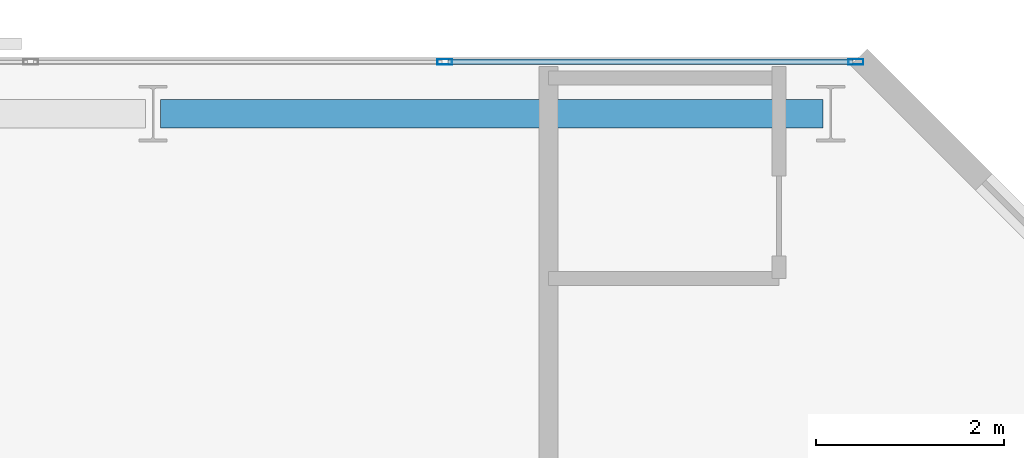
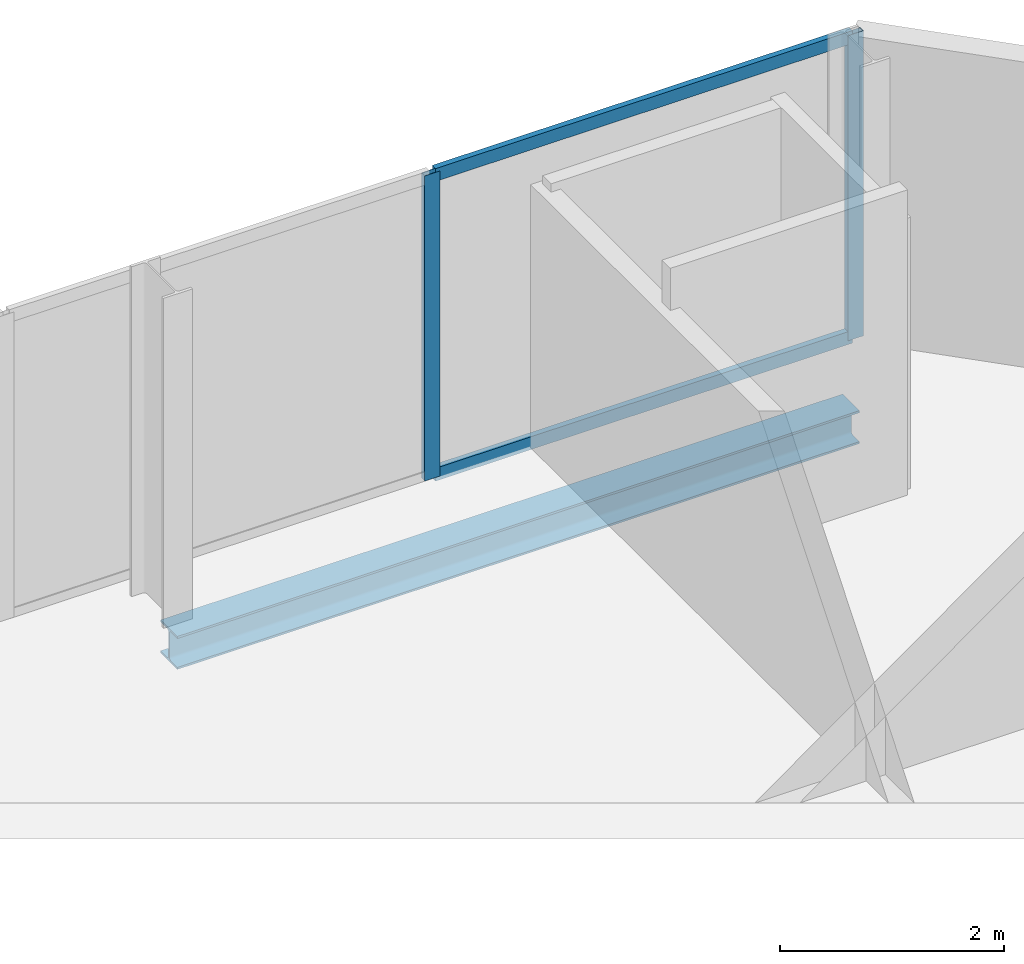
# One storey, part 25 of 32: 4 members, 1 beam, 1 element without a shape of its own.
"""IFC4 building model written with IfcOpenShell, lengths in metres."""

import ifcopenshell
import ifcopenshell.guid

model = None  # the IFC model being written
_history = None  # IfcOwnerHistory: only IFC2X3 demands one
_inside = {}  # id of a spatial element -> (the spatial element, [elements in it])
_under = {}  # id of a project, library or spatial element -> (it, [spatial elements below it])
_declared = {}  # id of a project -> (the project, [libraries it declares])
_typed = {}  # id of a type object -> (the type object, [elements of that type])
_made_of = {}  # id of a material, layer set ... -> (it, [elements and type objects made of it])


def new_model(schema):
    """Start an empty IFC model of exactly this schema.

    Asked for "IFC4X3", IfcOpenShell would pick the latest addendum, in which some entities
    have other attributes; the version numbers below select the first issue.
    IFC2X3 requires an IfcOwnerHistory on every rooted entity: one is made here for all.
    """
    global model, _history
    if schema == "IFC4X3":
        model = ifcopenshell.file(schema_version=(4, 3, 0, 0))
    else:
        model = ifcopenshell.file(schema=schema)
    _inside.clear()
    _under.clear()
    _declared.clear()
    _typed.clear()
    _made_of.clear()
    _history = None
    if model.schema == "IFC2X3":
        org = make("IfcOrganization", Name="unknown")
        user = make(
            "IfcPersonAndOrganization",
            ThePerson=make("IfcPerson", FamilyName="unknown"),
            TheOrganization=org,
        )
        app = make(
            "IfcApplication",
            ApplicationDeveloper=org,
            Version="unknown",
            ApplicationFullName="unknown",
            ApplicationIdentifier="unknown",
        )
        _history = make(
            "IfcOwnerHistory",
            OwningUser=user,
            OwningApplication=app,
            ChangeAction="ADDED",
            CreationDate=0,
        )
    return model


def make(cls, **values):
    """One entity of the class cls with the attributes given. An attribute that is None is left unset."""
    return model.create_entity(
        cls, **{name: value for name, value in values.items() if value is not None}
    )


def rooted(cls, **values):
    """An entity with a GlobalId (a new one), such as an element, a storey or a relation."""
    return make(cls, GlobalId=ifcopenshell.guid.new(), OwnerHistory=_history, **values)


def si_unit(unit_type, name, prefix=None):
    """IfcSIUnit, for example si_unit("LENGTHUNIT", "METRE", prefix="MILLI")."""
    return make("IfcSIUnit", UnitType=unit_type, Prefix=prefix, Name=name)


def assignment(units):
    """IfcUnitAssignment: the units of a project."""
    return None if units is None else make("IfcUnitAssignment", Units=units)


def point(xyz):
    """IfcCartesianPoint."""
    return None if xyz is None else make("IfcCartesianPoint", Coordinates=xyz)


def direction(xyz):
    """IfcDirection."""
    return None if xyz is None else make("IfcDirection", DirectionRatios=xyz)


def frame(location, z_axis=None, x_axis=None):
    """IfcAxis2Placement3D, a coordinate frame: its origin and axes. An axis left out is left unset."""
    return make(
        "IfcAxis2Placement3D",
        Location=point(location),
        Axis=direction(z_axis),
        RefDirection=direction(x_axis),
    )


def frame_2d(location, x_axis=None):
    """IfcAxis2Placement2D, a coordinate frame in the plane: its origin and x axis."""
    return make(
        "IfcAxis2Placement2D", Location=point(location), RefDirection=direction(x_axis)
    )


def origin():
    """The frame at (0, 0, 0) with its axes left unset."""
    return frame((0.0, 0.0, 0.0))


def origin_2d():
    """The frame at (0, 0) in the plane with its x axis left unset."""
    return frame_2d((0.0, 0.0))


def place(relative_to, where):
    """IfcLocalPlacement: puts the frame where relative to a parent placement (None: the world)."""
    return make(
        "IfcLocalPlacement", PlacementRelTo=relative_to, RelativePlacement=where
    )


def context(
    kind, dimensions, precision=None, world=None, true_north=None, identifier=None
):
    """IfcGeometricRepresentationContext, for example the 3D "Model" context."""
    return make(
        "IfcGeometricRepresentationContext",
        ContextIdentifier=identifier,
        ContextType=kind,
        CoordinateSpaceDimension=dimensions,
        Precision=precision,
        WorldCoordinateSystem=world,
        TrueNorth=true_north,
    )


def subcontext(parent, identifier, kind, view, scale=None):
    """IfcGeometricRepresentationSubContext, for example "Body" below "Model"."""
    return make(
        "IfcGeometricRepresentationSubContext",
        ContextIdentifier=identifier,
        ContextType=kind,
        ParentContext=parent,
        TargetScale=scale,
        TargetView=view,
    )


def project(units=None, contexts=None):
    """IfcProject with its units and contexts."""
    return rooted(
        "IfcProject",
        Name="project",
        RepresentationContexts=contexts,
        UnitsInContext=assignment(units),
    )


def spatial(cls, under=None, at=None, **own):
    """A site, building, storey or space (cls), placed at a placement, below another one or the project."""
    s = rooted(cls, ObjectPlacement=at, **own)
    if under is not None:
        _under.setdefault(under.id(), (under, []))[1].append(s)
    return s


def profile(cls, at=None, kind="AREA", **sizes):
    """A parametric profile (cls). Its sizes go by their IFC names, for example OverallWidth=200.0."""
    return make(cls, ProfileType=kind, Position=at, **sizes)


def hollow_rectangle(**sizes):
    """IfcRectangleHollowProfileDef."""
    return profile("IfcRectangleHollowProfileDef", **sizes)


def i_section(**sizes):
    """IfcIShapeProfileDef."""
    return profile("IfcIShapeProfileDef", **sizes)


def extrude(swept, where, along, depth):
    """IfcExtrudedAreaSolid: the profile swept, set in the frame where, extruded along a direction by depth."""
    return make(
        "IfcExtrudedAreaSolid",
        SweptArea=swept,
        Position=where,
        ExtrudedDirection=direction(along),
        Depth=depth,
    )


def shape(context_of_items, identifier, shape_type, items):
    """IfcShapeRepresentation: the items that make up one representation, for example the "Body"."""
    return make(
        "IfcShapeRepresentation",
        ContextOfItems=context_of_items,
        RepresentationIdentifier=identifier,
        RepresentationType=shape_type,
        Items=items,
    )


def material(Name=None, Category=None):
    """IfcMaterial."""
    return make("IfcMaterial", Name=Name, Category=Category)


def layer(
    of_material, thickness, ventilated=None, Name=None, Category=None, Priority=None
):
    """IfcMaterialLayer: one layer of a wall or slab, of a material (None: an air gap)."""
    return make(
        "IfcMaterialLayer",
        Material=of_material,
        LayerThickness=thickness,
        IsVentilated=ventilated,
        Name=Name,
        Category=Category,
        Priority=Priority,
    )


def layer_set(layers, Name=None):
    """IfcMaterialLayerSet."""
    return make("IfcMaterialLayerSet", MaterialLayers=layers, LayerSetName=Name)


def material_profile(
    of_material, cross_section, Name=None, Category=None, Priority=None
):
    """IfcMaterialProfile: a cross section and its material."""
    return make(
        "IfcMaterialProfile",
        Name=Name,
        Material=of_material,
        Profile=cross_section,
        Priority=Priority,
        Category=Category,
    )


def profile_set(profiles, Name=None, composite=None):
    """IfcMaterialProfileSet."""
    return make(
        "IfcMaterialProfileSet",
        Name=Name,
        MaterialProfiles=profiles,
        CompositeProfile=composite,
    )


def made_of(thing, what):
    """Note that an element or type object is made of a material, layer set ...; save() writes the relation."""
    if what is not None:
        _made_of.setdefault(what.id(), (what, []))[1].append(thing)
    return thing


def type_object(cls, material=None, **own):
    """A type object (cls), such as IfcWallType, which elements share."""
    return made_of(rooted(cls, **own), material)


def element(
    cls,
    number,
    at=None,
    inside=None,
    cuts=None,
    type_object=None,
    material=None,
    context=None,
    identifier="Body",
    shape_type=None,
    held_by="IfcProductDefinitionShape",
    body=None,
    shapes=None,
    **own,
):
    """One element of the class cls, such as IfcWall. Its Tag is "e" and its number.

    at: its placement. inside: the storey or other place that contains it. cuts: it is an
    opening in that element (IfcRelVoidsElement). A single representation is given by context,
    identifier, shape_type and body (its items); several are given by shapes. held_by: the class
    of the entity that holds the representations. save() writes the other relations.
    """
    e = rooted(cls, Tag="e%d" % number, ObjectPlacement=at, **own)
    if body is not None:
        shapes = [shape(context, identifier, shape_type, body)]
    if shapes is not None:
        e.Representation = make(held_by, Representations=shapes)
    if inside is not None:
        _inside.setdefault(inside.id(), (inside, []))[1].append(e)
    if cuts is not None:
        rooted(
            "IfcRelVoidsElement", RelatingBuildingElement=cuts, RelatedOpeningElement=e
        )
    if type_object is not None:
        _typed.setdefault(type_object.id(), (type_object, []))[1].append(e)
    return made_of(e, material)


def aggregate(whole, parts):
    """IfcRelAggregates: a whole, such as a stair, and the parts it consists of."""
    return rooted("IfcRelAggregates", RelatingObject=whole, RelatedObjects=parts)


def save(model, path):
    """Write the relations noted so far, then the file.

    IfcRelAggregates (storeys below a building ...), IfcRelContainedInSpatialStructure (elements
    in a storey), IfcRelDefinesByType, IfcRelAssociatesMaterial and IfcRelDeclares: one each for
    every whole, place, type object, material and project.
    """
    for whole, parts in _under.values():
        aggregate(whole, parts)
    for where, things in _inside.values():
        rooted(
            "IfcRelContainedInSpatialStructure",
            RelatedElements=things,
            RelatingStructure=where,
        )
    for kind, things in _typed.values():
        rooted("IfcRelDefinesByType", RelatedObjects=things, RelatingType=kind)
    for what, things in _made_of.values():
        rooted("IfcRelAssociatesMaterial", RelatedObjects=things, RelatingMaterial=what)
    for by, libraries in _declared.values():
        rooted("IfcRelDeclares", RelatingContext=by, RelatedDefinitions=libraries)
    model.write(path)


model = new_model("IFC4")

# Units and contexts
model_context = context("Model", 3, precision=1e-05, world=origin(), true_north=direction((0.0, 1.0)))
body_context = subcontext(model_context, "Body", "Model", "MODEL_VIEW")
ifc_project = project(units=[si_unit("LENGTHUNIT", "METRE"), si_unit("AREAUNIT", "SQUARE_METRE"), si_unit("VOLUMEUNIT", "CUBIC_METRE"), si_unit("PLANEANGLEUNIT", "RADIAN"), si_unit("MASSUNIT", "GRAM", prefix="KILO")], contexts=[model_context])

# Site, building, storey
site_placement = place(None, origin())
site = spatial("IfcSite", under=ifc_project, at=site_placement, CompositionType="ELEMENT")
building_placement = place(site_placement, origin())
building = spatial("IfcBuilding", under=site, at=building_placement, Name="Catumbela Crestline Tower", CompositionType="ELEMENT")
storey_placement = place(building_placement, frame((0.0, 0.0, 126.0)))
storey = spatial("IfcBuildingStorey", under=building, at=storey_placement, Name="L32", CompositionType="ELEMENT", Elevation=126.0)

# Curtain wall, members
ifc_material_1 = material(Name="Aluminium alloy AW-6060-T66", Category="aluminium")
ifc_layer = layer(ifc_material_1, 0.18, Name="Aluminium alloy AW-6060-T66")
ifc_layer_set = layer_set([ifc_layer], Name="Aluminium alloy AW-6060-T66")
curtain_wall_type = type_object("IfcCurtainWallType", Name="CWU-Z2", PredefinedType="USERDEFINED", material=ifc_layer_set)
curtain_wall_placement = place(storey_placement, origin())
curtain_wall = element("IfcCurtainWall", 1, at=curtain_wall_placement, inside=storey, type_object=curtain_wall_type, Name="L32 Unitised Curtain Wall CW-L32-E7S1", ObjectType="UNITISED", PredefinedType="USERDEFINED")
ifc_material_profile_1 = material_profile(ifc_material_1, hollow_rectangle(XDim=0.06, YDim=0.16, WallThickness=0.004, at=origin_2d()), Name="ALU 160x60x4")
ifc_profile_set_1 = profile_set([ifc_material_profile_1], Name="Aluminium alloy AW-6060-T66")
member_type_1 = type_object("IfcMemberType", Name="MUL-160X60", PredefinedType="MULLION", material=ifc_profile_set_1)
member_1_placement = place(storey_placement, frame((47.4675, 47.95, 0.0), z_axis=(0.0, 0.0, 1.0), x_axis=(0.0, -1.0, 0.0)))
member_1 = element("IfcMember", 2, at=member_1_placement, type_object=member_type_1, Name="CWU-Z2 mullion 1", PredefinedType="MULLION", context=body_context, shape_type="SweptSolid", body=[
    extrude(hollow_rectangle(XDim=0.06, YDim=0.16, WallThickness=0.004, at=origin_2d()), origin(), (0.0, 0.0, 1.0), 3.33),
])
member_2_placement = place(storey_placement, frame((43.1, 47.95, 0.0), z_axis=(0.0, 0.0, 1.0), x_axis=(0.0, -1.0, 0.0)))
member_2 = element("IfcMember", 3, at=member_2_placement, type_object=member_type_1, Name="CWU-Z2 mullion 2", PredefinedType="MULLION", context=body_context, shape_type="SweptSolid", body=[
    extrude(hollow_rectangle(XDim=0.06, YDim=0.16, WallThickness=0.004, at=origin_2d()), origin(), (0.0, 0.0, 1.0), 3.33),
])

# Beam
ifc_material_2 = material(Name="Structural steel S355J2", Category="steel")
ifc_material_profile_2 = material_profile(ifc_material_2, i_section(OverallWidth=0.3, OverallDepth=0.36, WebThickness=0.0125, FlangeThickness=0.0225, FilletRadius=0.027, at=origin_2d()), Name="HEB 360")
ifc_profile_set_2 = profile_set([ifc_material_profile_2], Name="Structural steel S355J2")
beam_type = type_object("IfcBeamType", Name="BS-HEB360", PredefinedType="SPANDREL", material=ifc_profile_set_2)
beam_placement = place(storey_placement, frame((40.08, 47.4, -0.44), z_axis=(1.0, 0.0, 0.0), x_axis=(0.0, 1.0, 0.0)))
element("IfcBeam", 4, at=beam_placement, inside=storey, type_object=beam_type, Name="L32 Spandrel SP-L32-NF21", PredefinedType="SPANDREL", context=body_context, shape_type="SweptSolid", body=[
    extrude(i_section(OverallWidth=0.3, OverallDepth=0.36, WebThickness=0.0125, FlangeThickness=0.0225, FilletRadius=0.027, at=origin_2d()), origin(), (0.0, 0.0, 1.0), 7.04),
])

# Member
ifc_material_profile_3 = material_profile(ifc_material_1, hollow_rectangle(XDim=0.06, YDim=0.14, WallThickness=0.004, at=origin_2d()), Name="ALU 140x60x4")
ifc_profile_set_3 = profile_set([ifc_material_profile_3], Name="Aluminium alloy AW-6060-T66")
member_type_2 = type_object("IfcMemberType", Name="TRN-140X60", PredefinedType="USERDEFINED", material=ifc_profile_set_3)
member_3_placement = place(storey_placement, frame((47.435, 47.95, 0.03), z_axis=(-1.0, 0.0, 0.0), x_axis=(0.0, -1.0, 0.0)))
member_3 = element("IfcMember", 5, at=member_3_placement, type_object=member_type_2, Name="CWU-Z2 transom 1.1", ObjectType="TRANSOM", PredefinedType="USERDEFINED", context=body_context, shape_type="SweptSolid", body=[
    extrude(hollow_rectangle(XDim=0.06, YDim=0.14, WallThickness=0.004, at=origin_2d()), origin(), (0.0, 0.0, 1.0), 4.3025),
])

member_4_placement = place(storey_placement, frame((47.435, 47.95, 3.3), z_axis=(-1.0, 0.0, 0.0), x_axis=(0.0, -1.0, 0.0)))
member_4 = element("IfcMember", 6, at=member_4_placement, type_object=member_type_2, Name="CWU-Z2 transom 1.2", ObjectType="TRANSOM", PredefinedType="USERDEFINED", context=body_context, shape_type="SweptSolid", body=[
    extrude(hollow_rectangle(XDim=0.06, YDim=0.14, WallThickness=0.004, at=origin_2d()), origin(), (0.0, 0.0, 1.0), 4.3025),
])

aggregate(curtain_wall, [member_1, member_2, member_3, member_4])

save(model, "model.ifc")
